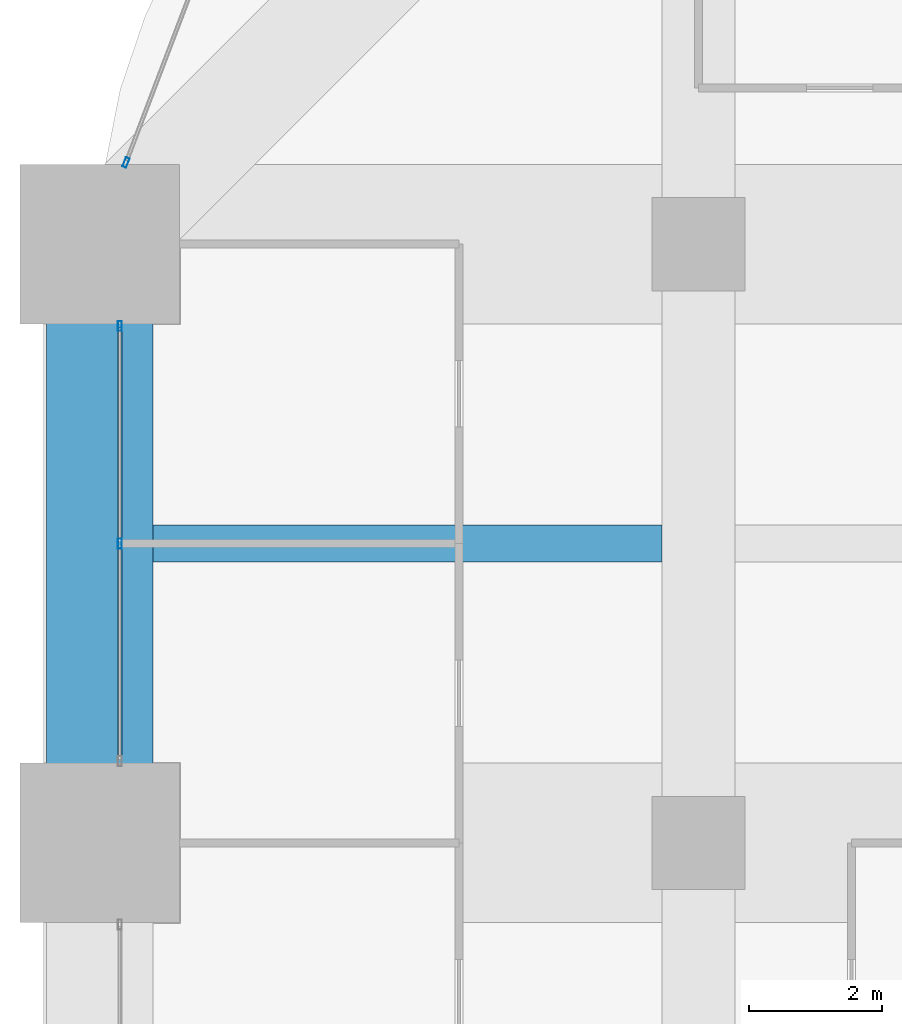
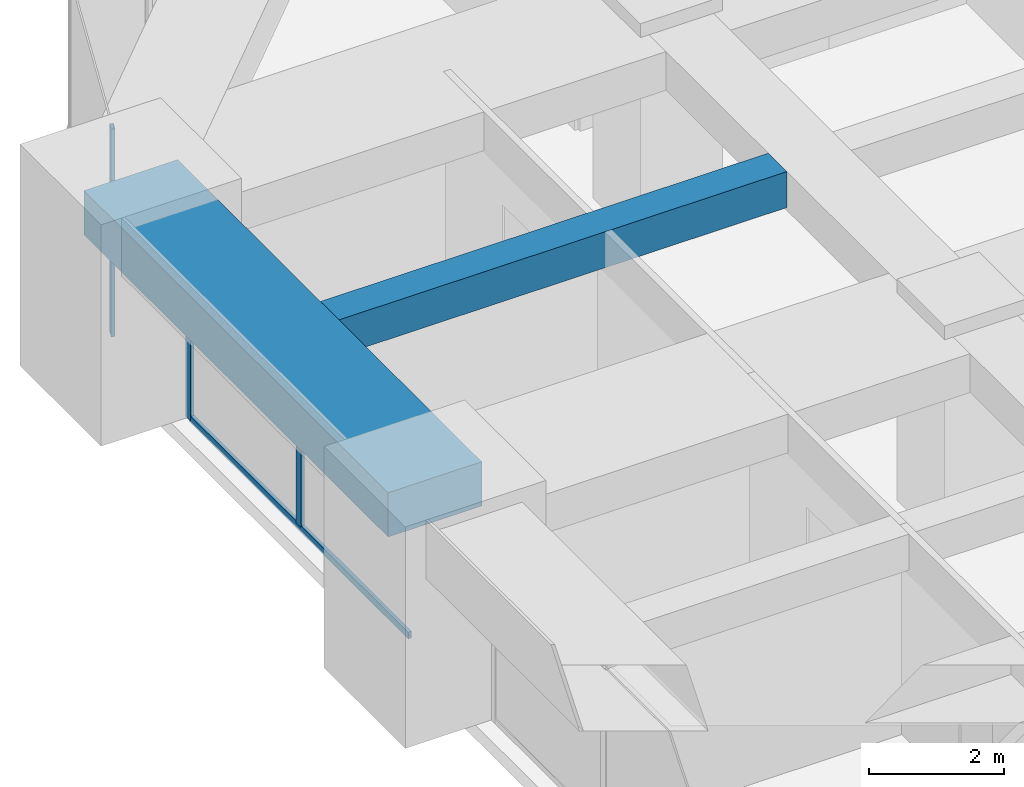
# One storey, part 19 of 35: 4 members, 2 beams, 2 elements without a shape of their own.
"""IFC4 building model written with IfcOpenShell, lengths in metres."""

from ifc_helpers import new_model, si_unit, direction, frame, origin, origin_2d, place, context, subcontext, project, spatial, rectangle, hollow_rectangle, extrude, material, material_profile, profile_set, type_object, element, aggregate, save


model = new_model("IFC4")

# Units and contexts
model_context = context("Model", 3, precision=1e-05, world=origin(), true_north=direction((0.0, 1.0)))
body_context = subcontext(model_context, "Body", "Model", "MODEL_VIEW")
ifc_project = project(units=[si_unit("LENGTHUNIT", "METRE"), si_unit("AREAUNIT", "SQUARE_METRE"), si_unit("VOLUMEUNIT", "CUBIC_METRE"), si_unit("PLANEANGLEUNIT", "RADIAN"), si_unit("MASSUNIT", "GRAM", prefix="KILO")], contexts=[model_context])

# Site, building, storey
site_placement = place(None, origin())
site = spatial("IfcSite", under=ifc_project, at=site_placement, CompositionType="ELEMENT")
building_placement = place(site_placement, origin())
building = spatial("IfcBuilding", under=site, at=building_placement, Name="Zorevar Civic Tower", CompositionType="ELEMENT")
storey_placement = place(building_placement, frame((0.0, 0.0, 218.199951171875)))
storey = spatial("IfcBuildingStorey", under=building, at=storey_placement, Name="L53", CompositionType="ELEMENT", Elevation=218.199951171875)

# Beam
ifc_material_1 = material(Name="Concrete C50/60", Category="concrete")
ifc_material_profile_1 = material_profile(ifc_material_1, rectangle(XDim=0.550048828125, YDim=0.64990234375, at=origin_2d()), Name="RC 550x650")
ifc_profile_set_1 = profile_set([ifc_material_profile_1], Name="Concrete C50/60")
beam_type_1 = type_object("IfcBeamType", Name="Beam RC 550x650", PredefinedType="BEAM", material=ifc_profile_set_1)
beam_1_placement = place(storey_placement, frame((0.800048828125, 31.5, 3.425048828125), z_axis=(1.0, 0.0, 0.0), x_axis=(0.0, 1.0, 0.0)))
element("IfcBeam", 1, at=beam_1_placement, inside=storey, type_object=beam_type_1, Name="Secondary beam L54", PredefinedType="BEAM", context=body_context, shape_type="SweptSolid", body=[
    extrude(rectangle(XDim=0.550048828125, YDim=0.64990234375, at=origin_2d()), origin(), (0.0, 0.0, 1.0), 7.64990234375),
])

# Curtain wall, members
ifc_material_2 = material(Name="Dark grey solar-control glass in black aluminium frame", Category="aluminium")
curtain_wall_type = type_object("IfcCurtainWallType", Name="Curtain wall CW4 high zone", PredefinedType="NOTDEFINED", material=ifc_material_2)
curtain_wall_1_placement = place(storey_placement, origin())
curtain_wall_1 = element("IfcCurtainWall", 2, at=curtain_wall_1_placement, inside=storey, type_object=curtain_wall_type, Name="CW4 L53", PredefinedType="NOTDEFINED")
ifc_material_3 = material(Name="Aluminium, black anodised", Category="aluminium")
ifc_material_profile_2 = material_profile(ifc_material_3, hollow_rectangle(XDim=0.06005859375, YDim=0.14990234375, WallThickness=0.00390625, at=origin_2d()), Name="AL 150x60x4")
ifc_profile_set_2 = profile_set([ifc_material_profile_2], Name="Aluminium, black anodised")
member_type_1 = type_object("IfcMemberType", Name="CW4 mullion AL 150x60x4", PredefinedType="MULLION", material=ifc_profile_set_2)
member_1_placement = place(storey_placement, frame((0.300048828125, 31.5, 0.06005859375), z_axis=(0.0, 0.0, 1.0), x_axis=(-1.0, 0.0, 0.0)))
member_1 = element("IfcMember", 3, at=member_1_placement, type_object=member_type_1, Name="CW4 mullion 2", PredefinedType="MULLION", context=body_context, shape_type="SweptSolid", body=[
    extrude(hollow_rectangle(XDim=0.06005859375, YDim=0.14990234375, WallThickness=0.00390625, at=origin_2d()), origin(), (0.0, 0.0, 1.0), 2.889892578125),
])
member_2_placement = place(storey_placement, frame((0.300048828125, 34.77001953125, 0.0), z_axis=(0.0, 0.0, 1.0), x_axis=(-1.0, 0.0, 0.0)))
member_2 = element("IfcMember", 4, at=member_2_placement, type_object=member_type_1, Name="CW4 mullion 3", PredefinedType="MULLION", context=body_context, shape_type="SweptSolid", body=[
    extrude(hollow_rectangle(XDim=0.06005859375, YDim=0.14990234375, WallThickness=0.00390625, at=origin_2d()), origin(), (0.0, 0.0, 1.0), 2.949951171875),
])

# Curtain wall, member
curtain_wall_2_placement = place(storey_placement, origin())
curtain_wall_2 = element("IfcCurtainWall", 5, at=curtain_wall_2_placement, inside=storey, type_object=curtain_wall_type, Name="CW4 L53", PredefinedType="NOTDEFINED")
member_3_placement = place(storey_placement, frame((0.393798828125, 37.22802734375, 0.0), z_axis=(0.0, 0.0, 1.0), x_axis=(0.93458842801, -0.355730895803, 0.0)))
member_3 = element("IfcMember", 6, at=member_3_placement, type_object=member_type_1, Name="CW4 mullion 2", PredefinedType="MULLION", context=body_context, shape_type="SweptSolid", body=[
    extrude(hollow_rectangle(XDim=0.06005859375, YDim=0.14990234375, WallThickness=0.00390625, at=origin_2d()), origin(), (0.0, 0.0, 1.0), 3.75),
])
aggregate(curtain_wall_2, [member_3])

# Member
ifc_material_4 = material(Name="Aluminium, black anodised", Category="aluminium")
ifc_material_profile_3 = material_profile(ifc_material_4, hollow_rectangle(XDim=0.06005859375, YDim=0.1201171875, WallThickness=0.0029296875, at=origin_2d()), Name="AL 120x60x3")
ifc_profile_set_3 = profile_set([ifc_material_profile_3], Name="Aluminium, black anodised")
member_type_2 = type_object("IfcMemberType", Name="CW4 transom AL 120x60x3", PredefinedType="USERDEFINED", material=ifc_profile_set_3)
member_4_placement = place(storey_placement, frame((0.300048828125, 28.260009765625, 0.030029296875), z_axis=(0.0, 1.0, 0.0), x_axis=(-1.0, 0.0, 0.0)))
member_4 = element("IfcMember", 7, at=member_4_placement, type_object=member_type_2, Name="CW4 sill transom", ObjectType="TRANSOM", PredefinedType="USERDEFINED", context=body_context, shape_type="SweptSolid", body=[
    extrude(hollow_rectangle(XDim=0.06005859375, YDim=0.1201171875, WallThickness=0.0029296875, at=origin_2d()), origin(), (0.0, 0.0, 1.0), 6.47998046875),
])

aggregate(curtain_wall_1, [member_1, member_2, member_4])

# Beam
ifc_material_5 = material(Name="Concrete C50/60", Category="concrete")
ifc_material_profile_4 = material_profile(ifc_material_5, rectangle(XDim=1.60009765625, YDim=0.800048828125, at=origin_2d()), Name="RC 1600x800")
ifc_profile_set_4 = profile_set([ifc_material_profile_4], Name="Concrete C50/60")
beam_type_2 = type_object("IfcBeamType", Name="Edge beam RC 1600x800", PredefinedType="SPANDREL", material=ifc_profile_set_4)
beam_2_placement = place(storey_placement, frame((0.0, 27.0, 3.35009765625), z_axis=(0.0, 1.0, 0.0), x_axis=(-1.0, 0.0, 0.0)))
element("IfcBeam", 8, at=beam_2_placement, inside=storey, type_object=beam_type_2, Name="Edge beam L54", PredefinedType="SPANDREL", context=body_context, shape_type="SweptSolid", body=[
    extrude(rectangle(XDim=1.60009765625, YDim=0.800048828125, at=origin_2d()), origin(), (0.0, 0.0, 1.0), 9.0),
])

save(model, "model.ifc")
